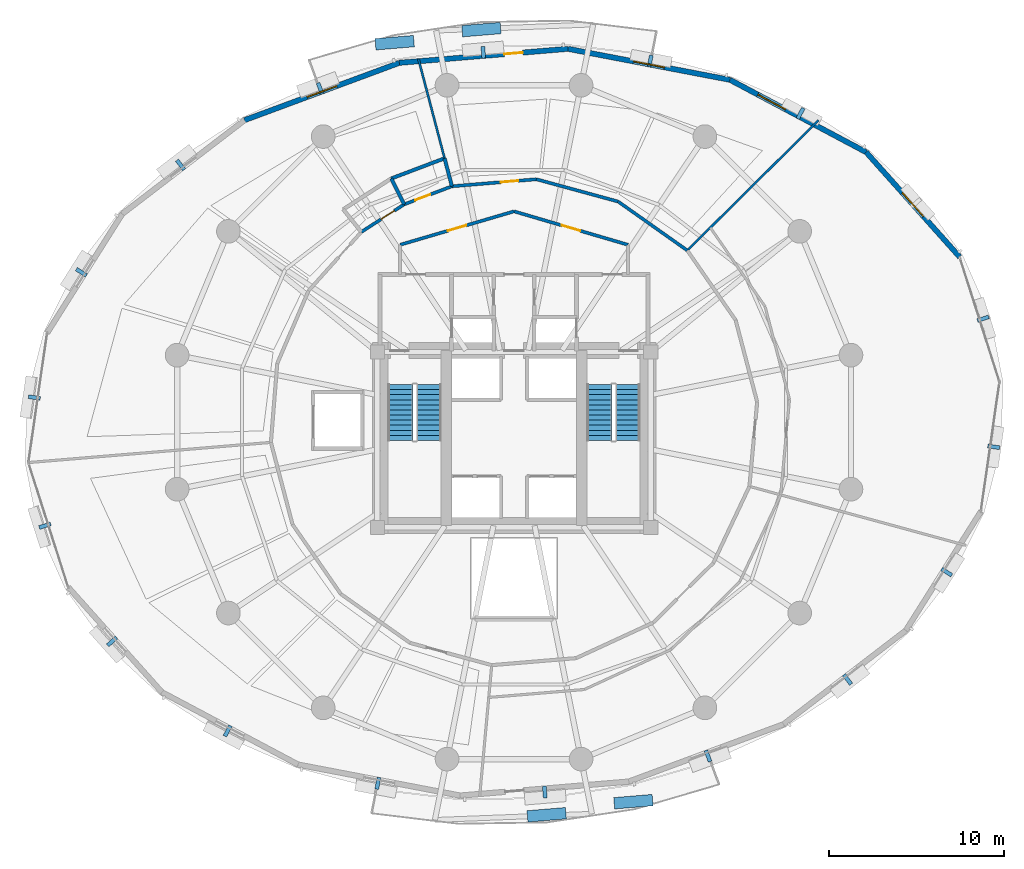
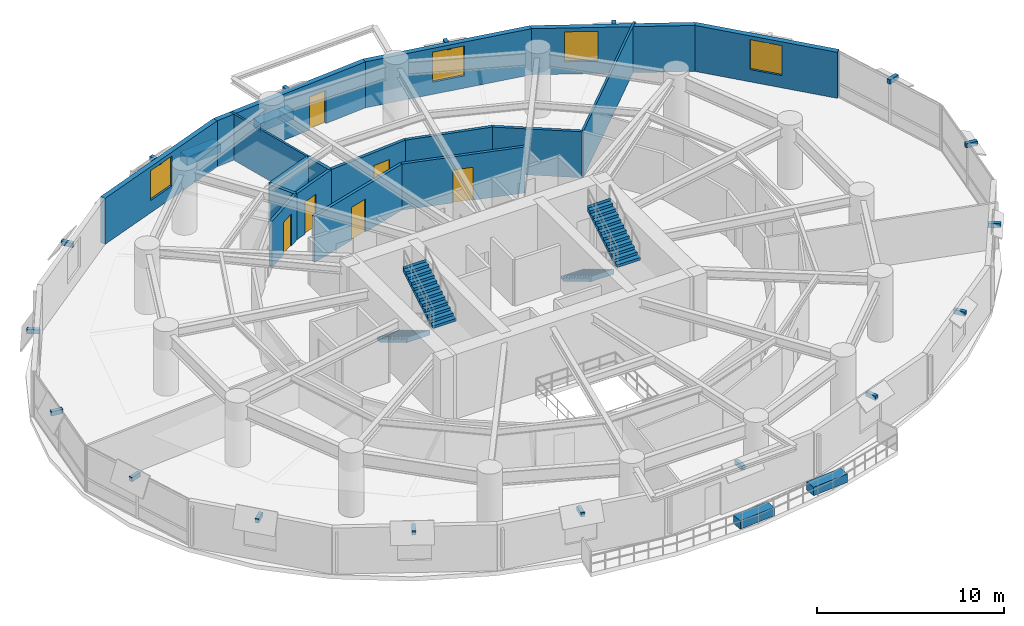
# One storey, part 12 of 16: 21 discrete accessories, 17 walls, 6 doors, 4 stair flights, 4 windows, 10 openings, 2 elements without a shape of their own.
"""IFC4 building model written with IfcOpenShell, lengths in metres."""

from ifc_helpers import new_model, si_unit, direction, frame, frame_2d, origin, origin_2d, place, context, subcontext, project, spatial, polyline, rectangle, outline, extrude, material, layer, layer_set, type_object, element, fill, aggregate, save


model = new_model("IFC4")

# Units and contexts
model_context = context("Model", 3, precision=1e-05, world=origin(), true_north=direction((0.0, 1.0)))
body_context = subcontext(model_context, "Body", "Model", "MODEL_VIEW")
ifc_project = project(units=[si_unit("LENGTHUNIT", "METRE"), si_unit("AREAUNIT", "SQUARE_METRE"), si_unit("VOLUMEUNIT", "CUBIC_METRE"), si_unit("PLANEANGLEUNIT", "RADIAN"), si_unit("MASSUNIT", "GRAM", prefix="KILO"), si_unit("THERMODYNAMICTEMPERATUREUNIT", "KELVIN"), si_unit("POWERUNIT", "WATT")], contexts=[model_context])

# Site, building, storey
site_placement = place(None, origin())
site = spatial("IfcSite", under=ifc_project, at=site_placement, CompositionType="ELEMENT")
building_placement = place(site_placement, origin())
building = spatial("IfcBuilding", under=site, at=building_placement, Name="Ocrelia Relay Tower", CompositionType="ELEMENT")
storey_placement = place(building_placement, frame((0.0, 0.0, 51.0)))
storey = spatial("IfcBuildingStorey", under=building, at=storey_placement, Name="L11", CompositionType="ELEMENT", Elevation=51.0)

# Wall, opening, door
ifc_material_1 = material(Name="Gypsum Fireboard Partition EI60", Category="gypsum")
ifc_layer_1 = layer(ifc_material_1, 0.179931640625, Name="Gypsum Fireboard Partition EI60")
ifc_layer_set_1 = layer_set([ifc_layer_1], Name="Gypsum Fireboard Partition EI60")
wall_type_1 = type_object("IfcWallType", Name="W-CORR-EI60-180", PredefinedType="PARTITIONING", material=ifc_layer_set_1)
wall_1_placement = place(storey_placement, frame((27.5, 36.122802734375, 0.0), z_axis=(0.0, 0.0, 1.0), x_axis=(0.959546654541, 0.281549671923, 0.0)))
wall_1 = element("IfcWall", 1, at=wall_1_placement, inside=storey, type_object=wall_type_1, Name="L11 North Smoke Lobby W Screen Wall", PredefinedType="PARTITIONING", context=body_context, shape_type="SweptSolid", body=[
    extrude(rectangle(XDim=6.77392578125, YDim=0.179931640625, at=frame_2d((3.386962890625, 0.0))), origin(), (0.0, 0.0, 1.0), 3.0),
])
opening_1_placement = place(wall_1_placement, frame((2.8369140625, 0.0, 0.0)))
opening_1 = element("IfcOpeningElement", 2, at=opening_1_placement, cuts=wall_1, Name="Opening D-FD60", PredefinedType="OPENING", context=body_context, shape_type="SweptSolid", body=[
    extrude(rectangle(XDim=1.10009765625, YDim=2.14990234375, at=frame_2d((0.550048828125, 1.074951171875))), frame((0.0, 0.10009765625, 0.0), z_axis=(0.0, -1.0, 0.0), x_axis=(1.0, 0.0, 0.0)), (0.0, 0.0, 1.0), 0.199951171875),
])
ifc_material_2 = material(Name="Timber-core 60-min acoustic fire door", Category="wood")
door_type_1 = type_object("IfcDoorType", Name="DR-LOBBY-FD60-1100", OperationType="NOTDEFINED", PredefinedType="DOOR", material=ifc_material_2)
door_1_placement = place(opening_1_placement, origin())
door_1 = element("IfcDoor", 3, at=door_1_placement, inside=storey, type_object=door_type_1, Name="L11 North Smoke Lobby W Fire Door", OperationType="SINGLE_SWING_RIGHT", OverallHeight=2.14990234375, OverallWidth=1.10009765625, PredefinedType="DOOR", context=body_context, shape_type="SweptSolid", body=[
    extrude(rectangle(XDim=1.10009765625, YDim=2.14990234375, at=frame_2d((0.550048828125, 1.074951171875))), frame((0.0, 0.02490234375, 0.0), z_axis=(0.0, -1.0, 0.0), x_axis=(1.0, 0.0, 0.0)), (0.0, 0.0, 1.0), 0.050048828125),
])
fill(opening_1, door_1)

wall_2_placement = place(storey_placement, frame((34.0, 38.030029296875, 0.0), z_axis=(0.0, 0.0, 1.0), x_axis=(0.959546654541, -0.281549671923, 0.0)))
wall_2 = element("IfcWall", 4, at=wall_2_placement, inside=storey, type_object=wall_type_1, Name="L11 North Smoke Lobby E Screen Wall", PredefinedType="PARTITIONING", context=body_context, shape_type="SweptSolid", body=[
    extrude(rectangle(XDim=6.77392578125, YDim=0.179931640625, at=frame_2d((3.386962890625, 0.0))), origin(), (0.0, 0.0, 1.0), 3.0),
])
opening_2_placement = place(wall_2_placement, frame((2.8369140625, 0.0, 0.0)))
opening_2 = element("IfcOpeningElement", 5, at=opening_2_placement, cuts=wall_2, Name="Opening D-FD60", PredefinedType="OPENING", context=body_context, shape_type="SweptSolid", body=[
    extrude(rectangle(XDim=1.10009765625, YDim=2.14990234375, at=frame_2d((0.550048828125, 1.074951171875))), frame((0.0, 0.10009765625, 0.0), z_axis=(0.0, -1.0, 0.0), x_axis=(1.0, 0.0, 0.0)), (0.0, 0.0, 1.0), 0.199951171875),
])
door_2_placement = place(opening_2_placement, origin())
door_2 = element("IfcDoor", 6, at=door_2_placement, inside=storey, type_object=door_type_1, Name="L11 North Smoke Lobby E Fire Door", OperationType="SINGLE_SWING_LEFT", OverallHeight=2.14990234375, OverallWidth=1.10009765625, PredefinedType="DOOR", context=body_context, shape_type="SweptSolid", body=[
    extrude(rectangle(XDim=1.10009765625, YDim=2.14990234375, at=frame_2d((0.550048828125, 1.074951171875))), frame((0.0, 0.02490234375, 0.0), z_axis=(0.0, -1.0, 0.0), x_axis=(1.0, 0.0, 0.0)), (0.0, 0.0, 1.0), 0.050048828125),
])
fill(opening_2, door_2)

wall_3_placement = place(storey_placement, frame((30.455810546875, 39.461181640625, 0.0), z_axis=(0.0, 0.0, 1.0), x_axis=(-0.935158603079, -0.35422928604, 0.0)))
wall_3 = element("IfcWall", 7, at=wall_3_placement, inside=storey, type_object=wall_type_1, Name="L11 Staff Toilet Corridor Wall", PredefinedType="PARTITIONING", context=body_context, shape_type="SweptSolid", body=[
    extrude(rectangle(XDim=2.909912109375, YDim=0.179931640625, at=frame_2d((1.455078125, 0.0))), origin(), (0.0, 0.0, 1.0), 3.0),
])
opening_3_placement = place(wall_3_placement, frame((1.321044921875, 0.0, 0.0)))
opening_3 = element("IfcOpeningElement", 8, at=opening_3_placement, cuts=wall_3, Name="Opening D-WC92", PredefinedType="OPENING", context=body_context, shape_type="SweptSolid", body=[
    extrude(rectangle(XDim=0.919921875, YDim=2.10009765625, at=frame_2d((0.4599609375, 1.050048828125))), frame((0.0, 0.10009765625, 0.0), z_axis=(0.0, -1.0, 0.0), x_axis=(1.0, 0.0, 0.0)), (0.0, 0.0, 1.0), 0.199951171875),
])
ifc_material_3 = material(Name="Laminate washroom door", Category="wood")
door_type_2 = type_object("IfcDoorType", Name="DR-WC-920", OperationType="NOTDEFINED", PredefinedType="DOOR", material=ifc_material_3)
door_3_placement = place(opening_3_placement, origin())
door_3 = element("IfcDoor", 9, at=door_3_placement, inside=storey, type_object=door_type_2, Name="L11 Staff Toilet Door", OperationType="SINGLE_SWING_RIGHT", OverallHeight=2.10009765625, OverallWidth=0.919921875, PredefinedType="DOOR", context=body_context, shape_type="SweptSolid", body=[
    extrude(rectangle(XDim=0.919921875, YDim=2.10009765625, at=frame_2d((0.4599609375, 1.050048828125))), frame((0.0, 0.02490234375, 0.0), z_axis=(0.0, -1.0, 0.0), x_axis=(1.0, 0.0, 0.0)), (0.0, 0.0, 1.0), 0.050048828125),
])
fill(opening_3, door_3)

wall_4_placement = place(storey_placement, frame((27.734619140625, 38.430419921875, 0.0), z_axis=(0.0, 0.0, 1.0), x_axis=(-0.841012166925, -0.541016205935, 0.0)))
wall_4 = element("IfcWall", 10, at=wall_4_placement, inside=storey, type_object=wall_type_1, Name="L11 Accessible Toilet Corridor Wall", PredefinedType="PARTITIONING", context=body_context, shape_type="SweptSolid", body=[
    extrude(rectangle(XDim=2.91015625, YDim=0.179931640625, at=frame_2d((1.455078125, 0.0))), origin(), (0.0, 0.0, 1.0), 3.0),
])
opening_4_placement = place(wall_4_placement, frame((0.6689453125, 0.0, 0.0)))
opening_4 = element("IfcOpeningElement", 11, at=opening_4_placement, cuts=wall_4, Name="Opening D-WC92", PredefinedType="OPENING", context=body_context, shape_type="SweptSolid", body=[
    extrude(rectangle(XDim=0.919921875, YDim=2.10009765625, at=frame_2d((0.4599609375, 1.050048828125))), frame((0.0, 0.10009765625, 0.0), z_axis=(0.0, -1.0, 0.0), x_axis=(1.0, 0.0, 0.0)), (0.0, 0.0, 1.0), 0.199951171875),
])
door_4_placement = place(opening_4_placement, origin())
door_4 = element("IfcDoor", 12, at=door_4_placement, inside=storey, type_object=door_type_2, Name="L11 Accessible Toilet Door", OperationType="SINGLE_SWING_LEFT", OverallHeight=2.10009765625, OverallWidth=0.919921875, PredefinedType="DOOR", context=body_context, shape_type="SweptSolid", body=[
    extrude(rectangle(XDim=0.919921875, YDim=2.10009765625, at=frame_2d((0.4599609375, 1.050048828125))), frame((0.0, 0.02490234375, 0.0), z_axis=(0.0, -1.0, 0.0), x_axis=(1.0, 0.0, 0.0)), (0.0, 0.0, 1.0), 0.050048828125),
])
fill(opening_4, door_4)

# Walls
wall_5_placement = place(storey_placement, frame((43.8857421875, 35.7998046875, 0.0), z_axis=(0.0, 0.0, 1.0), x_axis=(-0.816630436939, 0.577160921636, 0.0)))
element("IfcWall", 13, at=wall_5_placement, inside=storey, type_object=wall_type_1, Name="L11 Optical Calibration Studio Corridor Partition 1", PredefinedType="PARTITIONING", context=body_context, shape_type="SweptSolid", body=[
    extrude(rectangle(XDim=4.83447265625, YDim=0.179931640625, at=frame_2d((2.417236328125, 0.0))), origin(), (0.0, 0.0, 1.0), 3.0),
])
wall_6_placement = place(storey_placement, frame((39.937744140625, 38.590087890625, 0.0), z_axis=(0.0, 0.0, 1.0), x_axis=(-0.964791786171, 0.26301484623, 0.0)))
element("IfcWall", 14, at=wall_6_placement, inside=storey, type_object=wall_type_1, Name="L11 Optical Calibration Studio Corridor Partition 2", PredefinedType="PARTITIONING", context=body_context, shape_type="SweptSolid", body=[
    extrude(rectangle(XDim=4.834228515625, YDim=0.179931640625, at=frame_2d((2.4169921875, 0.0))), origin(), (0.0, 0.0, 1.0), 3.0),
])

# Wall, opening, door
wall_7_placement = place(storey_placement, frame((35.273681640625, 39.861572265625, 0.0), z_axis=(0.0, 0.0, 1.0), x_axis=(-0.99656453954, -0.082819795523, 0.0)))
wall_7 = element("IfcWall", 15, at=wall_7_placement, inside=storey, type_object=wall_type_1, Name="L11 Optical Calibration Studio Corridor Partition 3", PredefinedType="PARTITIONING", context=body_context, shape_type="SweptSolid", body=[
    extrude(rectangle(XDim=4.83447265625, YDim=0.179931640625, at=frame_2d((2.417236328125, 0.0))), origin(), (0.0, 0.0, 1.0), 3.0),
])
opening_5_placement = place(wall_7_placement, frame((1.03369140625, 0.0, 0.0)))
opening_5 = element("IfcOpeningElement", 16, at=opening_5_placement, cuts=wall_7, Name="Opening D-RM100", PredefinedType="OPENING", context=body_context, shape_type="SweptSolid", body=[
    extrude(rectangle(XDim=1.0, YDim=2.14990234375, at=frame_2d((0.5, 1.074951171875))), frame((0.0, 0.10009765625, 0.0), z_axis=(0.0, -1.0, 0.0), x_axis=(1.0, 0.0, 0.0)), (0.0, 0.0, 1.0), 0.199951171875),
])
ifc_material_4 = material(Name="Acoustic oak veneer fire door", Category="wood")
door_type_3 = type_object("IfcDoorType", Name="DR-ROOM-FD60-1000", OperationType="NOTDEFINED", PredefinedType="DOOR", material=ifc_material_4)
door_5_placement = place(opening_5_placement, origin())
door_5 = element("IfcDoor", 17, at=door_5_placement, inside=storey, type_object=door_type_3, Name="L11 Optical Calibration Studio Entrance Door", OperationType="SINGLE_SWING_RIGHT", OverallHeight=2.14990234375, OverallWidth=1.0, PredefinedType="DOOR", context=body_context, shape_type="SweptSolid", body=[
    extrude(rectangle(XDim=1.0, YDim=2.14990234375, at=frame_2d((0.5, 1.074951171875))), frame((0.0, 0.02490234375, 0.0), z_axis=(0.0, -1.0, 0.0), x_axis=(1.0, 0.0, 0.0)), (0.0, 0.0, 1.0), 0.050048828125),
])
fill(opening_5, door_5)

# Wall, opening, window
ifc_material_5 = material(Name="Precast concrete C40/50 with oxide terracotta", Category="masonry")
ifc_layer_2 = layer(ifc_material_5, 0.300048828125, Name="Precast concrete C40/50 with oxide terracotta")
ifc_layer_set_2 = layer_set([ifc_layer_2], Name="Precast concrete C40/50 with oxide terracotta")
wall_type_2 = type_object("IfcWallType", Name="W-EXT-TERR-300", PredefinedType="SOLIDWALL", material=ifc_layer_set_2)
wall_8_placement = place(storey_placement, frame((59.430419921875, 35.423095703125, 0.0), z_axis=(0.0, 0.0, 1.0), x_axis=(-0.66586999406, 0.746067792503, 0.0)))
wall_8 = element("IfcWall", 18, at=wall_8_placement, inside=storey, type_object=wall_type_2, Name="L11 Oxide Terracotta Facade Wall 02", PredefinedType="SOLIDWALL", context=body_context, shape_type="SweptSolid", body=[
    extrude(rectangle(XDim=8.021484375, YDim=0.300048828125, at=frame_2d((4.0107421875, 0.0))), origin(), (0.0, 0.0, 1.0), 3.0),
])
opening_6_placement = place(wall_8_placement, frame((3.111083984375, 0.0, 0.800048828125)))
opening_6 = element("IfcOpeningElement", 19, at=opening_6_placement, cuts=wall_8, Name="Opening W-02", PredefinedType="OPENING", context=body_context, shape_type="SweptSolid", body=[
    extrude(rectangle(XDim=1.800048828125, YDim=1.949951171875, at=frame_2d((0.89990234375, 0.97509765625))), frame((0.0, 0.16015625, 0.0), z_axis=(0.0, -1.0, 0.0), x_axis=(1.0, 0.0, 0.0)), (0.0, 0.0, 1.0), 0.320068359375),
])
ifc_material_6 = material(Name="Clear double-glazed low-E glass", Category="glass")
window_type = type_object("IfcWindowType", Name="WIN-Z1-1800x2100", PartitioningType="DOUBLE_PANEL_VERTICAL", PredefinedType="WINDOW", material=ifc_material_6)
window_1_placement = place(opening_6_placement, origin())
window_1 = element("IfcWindow", 20, at=window_1_placement, inside=storey, type_object=window_type, Name="L11 Facade Module Window 02", OverallHeight=1.949951171875, OverallWidth=1.800048828125, PartitioningType="SINGLE_PANEL", PredefinedType="WINDOW", context=body_context, shape_type="SweptSolid", body=[
    extrude(rectangle(XDim=1.800048828125, YDim=1.949951171875, at=frame_2d((0.89990234375, 0.97509765625))), frame((0.0, 0.030029296875, 0.0), z_axis=(0.0, -1.0, 0.0), x_axis=(1.0, 0.0, 0.0)), (0.0, 0.0, 1.0), 0.06005859375),
])
fill(opening_6, window_1)

wall_9_placement = place(storey_placement, frame((54.089111328125, 41.40771484375, 0.0), z_axis=(0.0, 0.0, 1.0), x_axis=(-0.883050641041, 0.46927770601, 0.0)))
wall_9 = element("IfcWall", 21, at=wall_9_placement, inside=storey, type_object=wall_type_2, Name="L11 Oxide Terracotta Facade Wall 03", PredefinedType="SOLIDWALL", context=body_context, shape_type="SweptSolid", body=[
    extrude(rectangle(XDim=8.792724609375, YDim=0.300048828125, at=frame_2d((4.396484375, 0.0))), origin(), (0.0, 0.0, 1.0), 3.0),
])
opening_7_placement = place(wall_9_placement, frame((5.201904296875, 0.0, 0.800048828125)))
opening_7 = element("IfcOpeningElement", 22, at=opening_7_placement, cuts=wall_9, Name="Opening W-02", PredefinedType="OPENING", context=body_context, shape_type="SweptSolid", body=[
    extrude(rectangle(XDim=1.800048828125, YDim=1.949951171875, at=frame_2d((0.89990234375, 0.97509765625))), frame((0.0, 0.16015625, 0.0), z_axis=(0.0, -1.0, 0.0), x_axis=(1.0, 0.0, 0.0)), (0.0, 0.0, 1.0), 0.320068359375),
])
window_2_placement = place(opening_7_placement, origin())
window_2 = element("IfcWindow", 23, at=window_2_placement, inside=storey, type_object=window_type, Name="L11 Facade Module Window 03", OverallHeight=1.949951171875, OverallWidth=1.800048828125, PartitioningType="SINGLE_PANEL", PredefinedType="WINDOW", context=body_context, shape_type="SweptSolid", body=[
    extrude(rectangle(XDim=1.800048828125, YDim=1.949951171875, at=frame_2d((0.89990234375, 0.97509765625))), frame((0.0, 0.030029296875, 0.0), z_axis=(0.0, -1.0, 0.0), x_axis=(1.0, 0.0, 0.0)), (0.0, 0.0, 1.0), 0.06005859375),
])
fill(opening_7, window_2)

wall_10_placement = place(storey_placement, frame((46.32470703125, 45.533935546875, 0.0), z_axis=(0.0, 0.0, 1.0), x_axis=(-0.982178716375, 0.187949379089, 0.0)))
wall_10 = element("IfcWall", 24, at=wall_10_placement, inside=storey, type_object=wall_type_2, Name="L11 Oxide Terracotta Facade Wall 04", PredefinedType="SOLIDWALL", context=body_context, shape_type="SweptSolid", body=[
    extrude(rectangle(XDim=9.4189453125, YDim=0.300048828125, at=frame_2d((4.70947265625, 0.0))), origin(), (0.0, 0.0, 1.0), 3.0),
])
opening_8_placement = place(wall_10_placement, frame((3.80908203125, 0.0, 0.800048828125)))
opening_8 = element("IfcOpeningElement", 25, at=opening_8_placement, cuts=wall_10, Name="Opening W-02", PredefinedType="OPENING", context=body_context, shape_type="SweptSolid", body=[
    extrude(rectangle(XDim=1.800048828125, YDim=1.949951171875, at=frame_2d((0.89990234375, 0.97509765625))), frame((0.0, 0.16015625, 0.0), z_axis=(0.0, -1.0, 0.0), x_axis=(1.0, 0.0, 0.0)), (0.0, 0.0, 1.0), 0.320068359375),
])
window_3_placement = place(opening_8_placement, origin())
window_3 = element("IfcWindow", 26, at=window_3_placement, inside=storey, type_object=window_type, Name="L11 Facade Module Window 04", OverallHeight=1.949951171875, OverallWidth=1.800048828125, PartitioningType="SINGLE_PANEL", PredefinedType="WINDOW", context=body_context, shape_type="SweptSolid", body=[
    extrude(rectangle(XDim=1.800048828125, YDim=1.949951171875, at=frame_2d((0.89990234375, 0.97509765625))), frame((0.0, 0.030029296875, 0.0), z_axis=(0.0, -1.0, 0.0), x_axis=(1.0, 0.0, 0.0)), (0.0, 0.0, 1.0), 0.06005859375),
])
fill(opening_8, window_3)

# Wall, opening, door
wall_11_placement = place(storey_placement, frame((37.07373046875, 47.30419921875, 0.0), z_axis=(0.0, 0.0, 1.0), x_axis=(-0.99656491498, -0.082815277761, 0.0)))
wall_11 = element("IfcWall", 27, at=wall_11_placement, inside=storey, type_object=wall_type_2, Name="L11 Oxide Terracotta Facade Wall 05", PredefinedType="SOLIDWALL", context=body_context, shape_type="SweptSolid", body=[
    extrude(rectangle(XDim=9.65478515625, YDim=0.300048828125, at=frame_2d((4.827392578125, 0.0))), origin(), (0.0, 0.0, 1.0), 3.0),
])
opening_9_placement = place(wall_11_placement, frame((2.590087890625, 0.0, 0.0)))
opening_9 = element("IfcOpeningElement", 28, at=opening_9_placement, cuts=wall_11, Name="Opening DB-105", PredefinedType="OPENING", context=body_context, shape_type="SweptSolid", body=[
    extrude(rectangle(XDim=1.050048828125, YDim=2.14990234375, at=frame_2d((0.52490234375, 1.074951171875))), frame((0.0, 0.16015625, 0.0), z_axis=(0.0, -1.0, 0.0), x_axis=(1.0, 0.0, 0.0)), (0.0, 0.0, 1.0), 0.320068359375),
])
ifc_material_7 = material(Name="Thermally broken aluminium and clear glass", Category="aluminium")
door_type_4 = type_object("IfcDoorType", Name="DR-BALC-1050", OperationType="NOTDEFINED", PredefinedType="DOOR", material=ifc_material_7)
door_6_placement = place(opening_9_placement, origin())
door_6 = element("IfcDoor", 29, at=door_6_placement, inside=storey, type_object=door_type_4, Name="L11 Planted Loggia Balcony Door B1", OperationType="SINGLE_SWING_LEFT", OverallHeight=2.14990234375, OverallWidth=1.050048828125, PredefinedType="DOOR", context=body_context, shape_type="SweptSolid", body=[
    extrude(rectangle(XDim=1.050048828125, YDim=2.14990234375, at=frame_2d((0.52490234375, 1.074951171875))), frame((0.0, 0.02490234375, 0.0), z_axis=(0.0, -1.0, 0.0), x_axis=(1.0, 0.0, 0.0)), (0.0, 0.0, 1.0), 0.050048828125),
])
fill(opening_9, door_6)

# Wall, opening, window
wall_12_placement = place(storey_placement, frame((27.4521484375, 46.504638671875, 0.0), z_axis=(0.0, 0.0, 1.0), x_axis=(-0.937694031854, -0.347462088042, 0.0)))
wall_12 = element("IfcWall", 30, at=wall_12_placement, inside=storey, type_object=wall_type_2, Name="L11 Oxide Terracotta Facade Wall 06", PredefinedType="SOLIDWALL", context=body_context, shape_type="SweptSolid", body=[
    extrude(rectangle(XDim=9.4189453125, YDim=0.300048828125, at=frame_2d((4.70947265625, 0.0))), origin(), (0.0, 0.0, 1.0), 3.0),
])
opening_10_placement = place(wall_12_placement, frame((3.80908203125, 0.0, 0.800048828125)))
opening_10 = element("IfcOpeningElement", 31, at=opening_10_placement, cuts=wall_12, Name="Opening W-02", PredefinedType="OPENING", context=body_context, shape_type="SweptSolid", body=[
    extrude(rectangle(XDim=1.800048828125, YDim=1.949951171875, at=frame_2d((0.89990234375, 0.97509765625))), frame((0.0, 0.16015625, 0.0), z_axis=(0.0, -1.0, 0.0), x_axis=(1.0, 0.0, 0.0)), (0.0, 0.0, 1.0), 0.320068359375),
])
window_4_placement = place(opening_10_placement, origin())
window_4 = element("IfcWindow", 32, at=window_4_placement, inside=storey, type_object=window_type, Name="L11 Facade Module Window 06", OverallHeight=1.949951171875, OverallWidth=1.800048828125, PartitioningType="SINGLE_PANEL", PredefinedType="WINDOW", context=body_context, shape_type="SweptSolid", body=[
    extrude(rectangle(XDim=1.800048828125, YDim=1.949951171875, at=frame_2d((0.89990234375, 0.97509765625))), frame((0.0, 0.030029296875, 0.0), z_axis=(0.0, -1.0, 0.0), x_axis=(1.0, 0.0, 0.0)), (0.0, 0.0, 1.0), 0.06005859375),
])
fill(opening_10, window_4)

# Walls
ifc_material_8 = material(Name="Acoustic Fireboard Partition EI60", Category="gypsum")
ifc_layer_3 = layer(ifc_material_8, 0.125, Name="Acoustic Fireboard Partition EI60")
ifc_layer_set_3 = layer_set([ifc_layer_3], Name="Acoustic Fireboard Partition EI60")
wall_type_3 = type_object("IfcWallType", Name="W-PART-125", PredefinedType="PARTITIONING", material=ifc_layer_set_3)
wall_13_placement = place(storey_placement, frame((30.035888671875, 41.056884765625, 0.0), z_axis=(0.0, 0.0, 1.0), x_axis=(-0.254595766502, 0.9670475664, 0.0)))
element("IfcWall", 33, at=wall_13_placement, inside=storey, type_object=wall_type_3, Name="L11 Carrier Briefing Room Radial Partition", PredefinedType="PARTITIONING", context=body_context, shape_type="SweptSolid", body=[
    extrude(rectangle(XDim=5.86376953125, YDim=0.125, at=frame_2d((2.931884765625, 0.0))), origin(), (0.0, 0.0, 1.0), 3.0),
])
wall_14_placement = place(storey_placement, frame((43.8857421875, 35.7998046875, 0.0), z_axis=(0.0, 0.0, 1.0), x_axis=(0.710177751737, 0.704022415082, 0.0)))
element("IfcWall", 34, at=wall_14_placement, inside=storey, type_object=wall_type_3, Name="L11 Training Seminar Room Radial Partition", PredefinedType="PARTITIONING", context=body_context, shape_type="SweptSolid", body=[
    extrude(rectangle(XDim=10.550537109375, YDim=0.125, at=frame_2d((5.275390625, 0.0))), origin(), (0.0, 0.0, 1.0), 3.0),
])
ifc_material_9 = material(Name="Moisture-Resistant Fireboard Chase Wall EI60", Category="gypsum")
ifc_layer_4 = layer(ifc_material_9, 0.199951171875, Name="Moisture-Resistant Fireboard Chase Wall EI60")
ifc_layer_set_4 = layer_set([ifc_layer_4], Name="Moisture-Resistant Fireboard Chase Wall EI60")
wall_type_4 = type_object("IfcWallType", Name="W-PLUMB-200", PredefinedType="PLUMBINGWALL", material=ifc_layer_set_4)
wall_15_placement = place(storey_placement, frame((30.455810546875, 39.461181640625, 0.0), z_axis=(0.0, 0.0, 1.0), x_axis=(-0.25449329928, 0.967074537263, 0.0)))
element("IfcWall", 35, at=wall_15_placement, inside=storey, type_object=wall_type_4, Name="L11 Staff Toilet Plumbing Radial Wall", PredefinedType="PLUMBINGWALL", context=body_context, shape_type="SweptSolid", body=[
    extrude(rectangle(XDim=1.650146484375, YDim=0.199951171875, at=frame_2d((0.8251953125, 0.0))), origin(), (0.0, 0.0, 1.0), 3.0),
])
wall_16_placement = place(storey_placement, frame((27.734619140625, 38.430419921875, 0.0), z_axis=(0.0, 0.0, 1.0), x_axis=(-0.450111370482, 0.892972426317, 0.0)))
element("IfcWall", 36, at=wall_16_placement, inside=storey, type_object=wall_type_4, Name="L11 Staff Toilet Plumbing Radial Wall", PredefinedType="PLUMBINGWALL", context=body_context, shape_type="SweptSolid", body=[
    extrude(rectangle(XDim=1.64990234375, YDim=0.199951171875, at=frame_2d((0.824951171875, 0.0))), origin(), (0.0, 0.0, 1.0), 3.0),
])
wall_17_placement = place(storey_placement, frame((30.035888671875, 41.056884765625, 0.0), z_axis=(0.0, 0.0, 1.0), x_axis=(-0.935152668989, -0.354244951527, 0.0)))
element("IfcWall", 37, at=wall_17_placement, inside=storey, type_object=wall_type_4, Name="L11 Staff Toilet Back Plumbing Wall", PredefinedType="PLUMBINGWALL", context=body_context, shape_type="SweptSolid", body=[
    extrude(rectangle(XDim=3.255126953125, YDim=0.199951171875, at=frame_2d((1.62744140625, 0.0))), origin(), (0.0, 0.0, 1.0), 3.0),
])

# Stair, stair flights
ifc_material_10 = material(Name="Concrete C50/60", Category="concrete")
stair_type = type_object("IfcStairType", Name="ST-DL-1420-R175", PredefinedType="HALF_TURN_STAIR", material=ifc_material_10)
stair_1_placement = place(storey_placement, origin())
stair_1 = element("IfcStair", 38, at=stair_1_placement, inside=storey, type_object=stair_type, Name="L11 West Core Exit Stair ST1", PredefinedType="HALF_TURN_STAIR")
stair_flight_type = type_object("IfcStairFlightType", Name="STF-DL-1420-R175", PredefinedType="STRAIGHT", material=ifc_material_10)
stair_flight_1_placement = place(storey_placement, frame((27.52001953125, 28.14990234375, 0.0), z_axis=(0.0, 0.0, 1.0), x_axis=(0.0, -1.0, 0.0)))
stair_flight_1 = element("IfcStairFlight", 39, at=stair_flight_1_placement, type_object=stair_flight_type, Name="ST1 flight 1", NumberOfRisers=12, NumberOfTreads=11, PredefinedType="STRAIGHT", RiserHeight=0.175, TreadLength=0.29, context=body_context, shape_type="SweptSolid", body=[
    extrude(outline(polyline([(-0.008056640625, 0.0), (-0.008056640625, 0.175048828125), (0.0, 0.175048828125), (0.2900390625, 0.175048828125), (0.2900390625, 0.35009765625), (0.580078125, 0.35009765625), (0.580078125, 0.52490234375), (0.8701171875, 0.52490234375), (0.8701171875, 0.699951171875), (1.159912109375, 0.699951171875), (1.159912109375, 0.875), (1.449951171875, 0.875), (1.449951171875, 1.050048828125), (1.739990234375, 1.050048828125), (1.739990234375, 1.22509765625), (2.030029296875, 1.22509765625), (2.030029296875, 1.39990234375), (2.320068359375, 1.39990234375), (2.320068359375, 1.574951171875), (2.610107421875, 1.574951171875), (2.610107421875, 1.75), (2.89990234375, 1.75), (2.89990234375, 1.925048828125), (3.18994140625, 1.925048828125), (3.18994140625, 2.10009765625), (3.197998046875, 2.10009765625), (3.197998046875, 1.75), (0.2900390625, 0.0), (-0.008056640625, 0.0)])), frame((0.0, 0.7099609375, 0.0), z_axis=(0.0, -1.0, 0.0), x_axis=(1.0, 0.0, 0.0)), (0.0, 0.0, 1.0), 1.419921875),
])
stair_flight_2_placement = place(storey_placement, frame((29.139892578125, 24.9599609375, 2.10009765625), z_axis=(0.0, 0.0, 1.0), x_axis=(0.0, 1.0, 0.0)))
stair_flight_2 = element("IfcStairFlight", 40, at=stair_flight_2_placement, type_object=stair_flight_type, Name="ST1 flight 2", NumberOfRisers=12, NumberOfTreads=11, PredefinedType="STRAIGHT", RiserHeight=0.175, TreadLength=0.29, context=body_context, shape_type="SweptSolid", body=[
    extrude(outline(polyline([(-0.008056640625, 0.0), (-0.008056640625, 0.175048828125), (0.0, 0.175048828125), (0.2900390625, 0.175048828125), (0.2900390625, 0.35009765625), (0.580078125, 0.35009765625), (0.580078125, 0.52490234375), (0.8701171875, 0.52490234375), (0.8701171875, 0.699951171875), (1.159912109375, 0.699951171875), (1.159912109375, 0.875), (1.449951171875, 0.875), (1.449951171875, 1.050048828125), (1.739990234375, 1.050048828125), (1.739990234375, 1.22509765625), (2.030029296875, 1.22509765625), (2.030029296875, 1.39990234375), (2.320068359375, 1.39990234375), (2.320068359375, 1.574951171875), (2.610107421875, 1.574951171875), (2.610107421875, 1.75), (2.89990234375, 1.75), (2.89990234375, 1.925048828125), (3.18994140625, 1.925048828125), (3.18994140625, 2.10009765625), (3.197998046875, 2.10009765625), (3.197998046875, 1.75), (0.2900390625, 0.0), (-0.008056640625, 0.0)])), frame((0.0, 0.7099609375, 0.0), z_axis=(0.0, -1.0, 0.0), x_axis=(1.0, 0.0, 0.0)), (0.0, 0.0, 1.0), 1.419921875),
])
aggregate(stair_1, [stair_flight_1, stair_flight_2])

stair_2_placement = place(storey_placement, origin())
stair_2 = element("IfcStair", 41, at=stair_2_placement, inside=storey, type_object=stair_type, Name="L11 East Core Exit Stair ST2", PredefinedType="HALF_TURN_STAIR")
stair_flight_3_placement = place(storey_placement, frame((38.8701171875, 28.14990234375, 0.0), z_axis=(0.0, 0.0, 1.0), x_axis=(0.0, -1.0, 0.0)))
stair_flight_3 = element("IfcStairFlight", 42, at=stair_flight_3_placement, type_object=stair_flight_type, Name="ST2 flight 1", NumberOfRisers=12, NumberOfTreads=11, PredefinedType="STRAIGHT", RiserHeight=0.175, TreadLength=0.29, context=body_context, shape_type="SweptSolid", body=[
    extrude(outline(polyline([(-0.008056640625, 0.0), (-0.008056640625, 0.175048828125), (0.0, 0.175048828125), (0.2900390625, 0.175048828125), (0.2900390625, 0.35009765625), (0.580078125, 0.35009765625), (0.580078125, 0.52490234375), (0.8701171875, 0.52490234375), (0.8701171875, 0.699951171875), (1.159912109375, 0.699951171875), (1.159912109375, 0.875), (1.449951171875, 0.875), (1.449951171875, 1.050048828125), (1.739990234375, 1.050048828125), (1.739990234375, 1.22509765625), (2.030029296875, 1.22509765625), (2.030029296875, 1.39990234375), (2.320068359375, 1.39990234375), (2.320068359375, 1.574951171875), (2.610107421875, 1.574951171875), (2.610107421875, 1.75), (2.89990234375, 1.75), (2.89990234375, 1.925048828125), (3.18994140625, 1.925048828125), (3.18994140625, 2.10009765625), (3.197998046875, 2.10009765625), (3.197998046875, 1.75), (0.2900390625, 0.0), (-0.008056640625, 0.0)])), frame((0.0, 0.7099609375, 0.0), z_axis=(0.0, -1.0, 0.0), x_axis=(1.0, 0.0, 0.0)), (0.0, 0.0, 1.0), 1.419921875),
])
stair_flight_4_placement = place(storey_placement, frame((40.489990234375, 24.9599609375, 2.10009765625), z_axis=(0.0, 0.0, 1.0), x_axis=(0.0, 1.0, 0.0)))
stair_flight_4 = element("IfcStairFlight", 43, at=stair_flight_4_placement, type_object=stair_flight_type, Name="ST2 flight 2", NumberOfRisers=12, NumberOfTreads=11, PredefinedType="STRAIGHT", RiserHeight=0.175, TreadLength=0.29, context=body_context, shape_type="SweptSolid", body=[
    extrude(outline(polyline([(-0.008056640625, 0.0), (-0.008056640625, 0.175048828125), (0.0, 0.175048828125), (0.2900390625, 0.175048828125), (0.2900390625, 0.35009765625), (0.580078125, 0.35009765625), (0.580078125, 0.52490234375), (0.8701171875, 0.52490234375), (0.8701171875, 0.699951171875), (1.159912109375, 0.699951171875), (1.159912109375, 0.875), (1.449951171875, 0.875), (1.449951171875, 1.050048828125), (1.739990234375, 1.050048828125), (1.739990234375, 1.22509765625), (2.030029296875, 1.22509765625), (2.030029296875, 1.39990234375), (2.320068359375, 1.39990234375), (2.320068359375, 1.574951171875), (2.610107421875, 1.574951171875), (2.610107421875, 1.75), (2.89990234375, 1.75), (2.89990234375, 1.925048828125), (3.18994140625, 1.925048828125), (3.18994140625, 2.10009765625), (3.197998046875, 2.10009765625), (3.197998046875, 1.75), (0.2900390625, 0.0), (-0.008056640625, 0.0)])), frame((0.0, 0.7099609375, 0.0), z_axis=(0.0, -1.0, 0.0), x_axis=(1.0, 0.0, 0.0)), (0.0, 0.0, 1.0), 1.419921875),
])
aggregate(stair_2, [stair_flight_3, stair_flight_4])

# Discrete accessories
ifc_material_11 = material(Name="Precast concrete C40/50 planter with highland greenery", Category="concrete")
discrete_accessory_type_1 = type_object("IfcDiscreteAccessoryType", Name="ACC-BALC-PLANTER", PredefinedType="USERDEFINED", material=ifc_material_11)
for number, where, z_axis, x_axis, name in (
    (44, (32.138671875, 48.400146484375, 0.0), (0.0, 0.0, 1.0), (0.996564496754, 0.082820310372, 0.0), "L11 Balcony Terracotta Planter with Greenery B1"),
    (45, (27.18994140625, 47.65234375, 0.0), (0.0, 0.0, 1.0), (0.996564496754, 0.082820310372, 0.0), "L11 Balcony Terracotta Planter B1-2"),
    (46, (35.861328125, 3.599853515625, 0.0), (0.0, 0.0, 1.0), (-0.996564496754, -0.082820310372, 0.0), "L11 Balcony Terracotta Planter with Greenery B2"),
    (47, (40.81005859375, 4.34765625, 0.0), (0.0, 0.0, 1.0), (-0.996564496754, -0.082820310372, 0.0), "L11 Balcony Terracotta Planter B2-2"),
):
    element("IfcDiscreteAccessory", number, at=place(storey_placement, frame(where, z_axis=z_axis, x_axis=x_axis)), inside=storey, type_object=discrete_accessory_type_1, Name=name, ObjectType="PLANTER", PredefinedType="USERDEFINED", context=body_context, shape_type="SweptSolid", body=[
        extrude(rectangle(XDim=2.199951171875, YDim=0.64990234375, at=origin_2d()), origin(), (0.0, 0.0, 1.0), 0.550048828125),
    ])
ifc_material_12 = material(Name="Steel S355", Category="steel")
discrete_accessory_type_2 = type_object("IfcDiscreteAccessoryType", Name="ACC-VISOR-BRACKET", PredefinedType="BRACKET", material=ifc_material_12)
for number, where, z_axis, x_axis, name in (
    (48, (60.7626953125, 31.90576171875, 2.7001953125), (0.0, 0.0, 1.0), (-0.304199031476, 0.952608497363, 0.0), "L11 Visor Mounting Bracket 01"),
    (49, (50.343017578125, 43.617431640625, 2.7001953125), (0.0, 0.0, 1.0), (-0.88304900453, 0.469280785457, 0.0), "L11 Visor Mounting Bracket 03"),
    (50, (41.77001953125, 46.606201171875, 2.7001953125), (0.0, 0.0, 1.0), (-0.982182011935, 0.187932156459, 0.0), "L11 Visor Mounting Bracket 04"),
    (51, (32.246337890625, 47.103759765625, 2.7001953125), (0.0, 0.0, 1.0), (-0.996565516315, -0.082808041232, 0.0), "L11 Visor Mounting Bracket 05"),
    (52, (22.935791015625, 45.041259765625, 2.7001953125), (0.0, 0.0, 1.0), (-0.937695984338, -0.347456818838, 0.0), "L11 Visor Mounting Bracket 06"),
    (53, (14.973388671875, 40.6787109375, 2.7001953125), (0.0, 0.0, 1.0), (-0.793488644181, -0.608585056961, 0.0), "L11 Visor Mounting Bracket 07"),
    (54, (9.314208984375, 34.55419921875, 2.7001953125), (0.0, 0.0, 1.0), (-0.533601290202, -0.845736166363, 0.0), "L11 Visor Mounting Bracket 08"),
    (55, (6.62939453125, 27.40771484375, 2.7001953125), (0.0, 0.0, 1.0), (-0.14279958631, -0.989751624474, 0.0), "L11 Visor Mounting Bracket 09"),
    (56, (7.2373046875, 20.09423828125, 2.7001953125), (0.0, 0.0, 1.0), (0.304199031476, -0.952608497363, 0.0), "L11 Visor Mounting Bracket 10"),
    (57, (11.064697265625, 13.48876953125, 2.7001953125), (0.0, 0.0, 1.0), (0.665877522085, -0.746061073627, 0.0), "L11 Visor Mounting Bracket 11"),
    (58, (17.656982421875, 8.382568359375, 2.7001953125), (0.0, 0.0, 1.0), (0.88304900453, -0.469280785457, 0.0), "L11 Visor Mounting Bracket 12"),
    (59, (26.22998046875, 5.393798828125, 2.7001953125), (0.0, 0.0, 1.0), (0.982182011935, -0.187932156459, 0.0), "L11 Visor Mounting Bracket 13"),
    (60, (35.753662109375, 4.896240234375, 2.7001953125), (0.0, 0.0, 1.0), (0.996565516315, 0.082808041232, 0.0), "L11 Visor Mounting Bracket 14"),
    (61, (45.064208984375, 6.958740234375, 2.7001953125), (0.0, 0.0, 1.0), (0.937695984338, 0.347456818838, 0.0), "L11 Visor Mounting Bracket 15"),
    (62, (53.026611328125, 11.3212890625, 2.7001953125), (0.0, 0.0, 1.0), (0.793488644181, 0.608585056961, 0.0), "L11 Visor Mounting Bracket 16"),
    (63, (58.685791015625, 17.44580078125, 2.7001953125), (0.0, 0.0, 1.0), (0.533601290202, 0.845736166363, 0.0), "L11 Visor Mounting Bracket 17"),
    (64, (61.37060546875, 24.59228515625, 2.7001953125), (0.0, 0.0, 1.0), (0.14279958631, 0.989751624474, 0.0), "L11 Visor Mounting Bracket 18"),
):
    element("IfcDiscreteAccessory", number, at=place(storey_placement, frame(where, z_axis=z_axis, x_axis=x_axis)), inside=storey, type_object=discrete_accessory_type_2, Name=name, PredefinedType="BRACKET", context=body_context, shape_type="SweptSolid", body=[
        extrude(rectangle(XDim=0.219970703125, YDim=0.679931640625, at=origin_2d()), origin(), (0.0, 0.0, 1.0), 0.280029296875),
    ])

save(model, "model.ifc")
